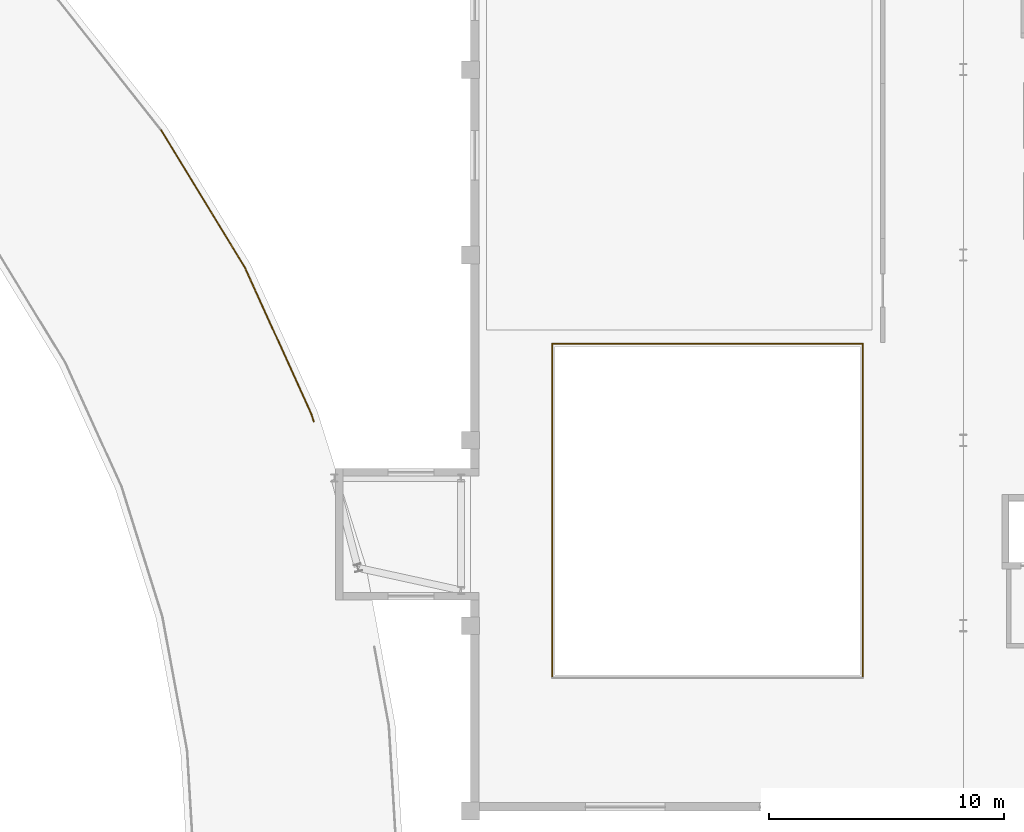
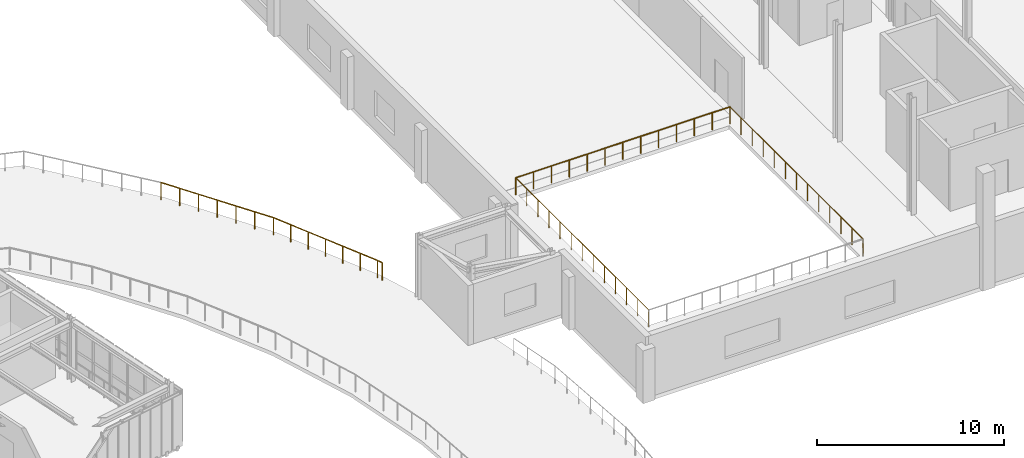
# One storey, part 58 of 59: 6 railings.
"""IFC4 building model written with IfcOpenShell, lengths in metres."""

import ifcopenshell
import ifcopenshell.guid

model = None  # the IFC model being written
_history = None  # IfcOwnerHistory: only IFC2X3 demands one
_inside = {}  # id of a spatial element -> (the spatial element, [elements in it])
_under = {}  # id of a project, library or spatial element -> (it, [spatial elements below it])
_declared = {}  # id of a project -> (the project, [libraries it declares])
_typed = {}  # id of a type object -> (the type object, [elements of that type])
_made_of = {}  # id of a material, layer set ... -> (it, [elements and type objects made of it])


def new_model(schema):
    """Start an empty IFC model of exactly this schema.

    Asked for "IFC4X3", IfcOpenShell would pick the latest addendum, in which some entities
    have other attributes; the version numbers below select the first issue.
    IFC2X3 requires an IfcOwnerHistory on every rooted entity: one is made here for all.
    """
    global model, _history
    if schema == "IFC4X3":
        model = ifcopenshell.file(schema_version=(4, 3, 0, 0))
    else:
        model = ifcopenshell.file(schema=schema)
    _inside.clear()
    _under.clear()
    _declared.clear()
    _typed.clear()
    _made_of.clear()
    _history = None
    if model.schema == "IFC2X3":
        org = make("IfcOrganization", Name="unknown")
        user = make(
            "IfcPersonAndOrganization",
            ThePerson=make("IfcPerson", FamilyName="unknown"),
            TheOrganization=org,
        )
        app = make(
            "IfcApplication",
            ApplicationDeveloper=org,
            Version="unknown",
            ApplicationFullName="unknown",
            ApplicationIdentifier="unknown",
        )
        _history = make(
            "IfcOwnerHistory",
            OwningUser=user,
            OwningApplication=app,
            ChangeAction="ADDED",
            CreationDate=0,
        )
    return model


def make(cls, **values):
    """One entity of the class cls with the attributes given. An attribute that is None is left unset."""
    return model.create_entity(
        cls, **{name: value for name, value in values.items() if value is not None}
    )


def rooted(cls, **values):
    """An entity with a GlobalId (a new one), such as an element, a storey or a relation."""
    return make(cls, GlobalId=ifcopenshell.guid.new(), OwnerHistory=_history, **values)


def si_unit(unit_type, name, prefix=None):
    """IfcSIUnit, for example si_unit("LENGTHUNIT", "METRE", prefix="MILLI")."""
    return make("IfcSIUnit", UnitType=unit_type, Prefix=prefix, Name=name)


def assignment(units):
    """IfcUnitAssignment: the units of a project."""
    return None if units is None else make("IfcUnitAssignment", Units=units)


def point(xyz):
    """IfcCartesianPoint."""
    return None if xyz is None else make("IfcCartesianPoint", Coordinates=xyz)


def direction(xyz):
    """IfcDirection."""
    return None if xyz is None else make("IfcDirection", DirectionRatios=xyz)


def frame(location, z_axis=None, x_axis=None):
    """IfcAxis2Placement3D, a coordinate frame: its origin and axes. An axis left out is left unset."""
    return make(
        "IfcAxis2Placement3D",
        Location=point(location),
        Axis=direction(z_axis),
        RefDirection=direction(x_axis),
    )


def frame_2d(location, x_axis=None):
    """IfcAxis2Placement2D, a coordinate frame in the plane: its origin and x axis."""
    return make(
        "IfcAxis2Placement2D", Location=point(location), RefDirection=direction(x_axis)
    )


def origin():
    """The frame at (0, 0, 0) with its axes left unset."""
    return frame((0.0, 0.0, 0.0))


def origin_2d():
    """The frame at (0, 0) in the plane with its x axis left unset."""
    return frame_2d((0.0, 0.0))


def place(relative_to, where):
    """IfcLocalPlacement: puts the frame where relative to a parent placement (None: the world)."""
    return make(
        "IfcLocalPlacement", PlacementRelTo=relative_to, RelativePlacement=where
    )


def context(
    kind, dimensions, precision=None, world=None, true_north=None, identifier=None
):
    """IfcGeometricRepresentationContext, for example the 3D "Model" context."""
    return make(
        "IfcGeometricRepresentationContext",
        ContextIdentifier=identifier,
        ContextType=kind,
        CoordinateSpaceDimension=dimensions,
        Precision=precision,
        WorldCoordinateSystem=world,
        TrueNorth=true_north,
    )


def subcontext(parent, identifier, kind, view, scale=None):
    """IfcGeometricRepresentationSubContext, for example "Body" below "Model"."""
    return make(
        "IfcGeometricRepresentationSubContext",
        ContextIdentifier=identifier,
        ContextType=kind,
        ParentContext=parent,
        TargetScale=scale,
        TargetView=view,
    )


def project(units=None, contexts=None):
    """IfcProject with its units and contexts."""
    return rooted(
        "IfcProject",
        Name="project",
        RepresentationContexts=contexts,
        UnitsInContext=assignment(units),
    )


def spatial(cls, under=None, at=None, **own):
    """A site, building, storey or space (cls), placed at a placement, below another one or the project."""
    s = rooted(cls, ObjectPlacement=at, **own)
    if under is not None:
        _under.setdefault(under.id(), (under, []))[1].append(s)
    return s


def profile(cls, at=None, kind="AREA", **sizes):
    """A parametric profile (cls). Its sizes go by their IFC names, for example OverallWidth=200.0."""
    return make(cls, ProfileType=kind, Position=at, **sizes)


def circle(**sizes):
    """IfcCircleProfileDef."""
    return profile("IfcCircleProfileDef", **sizes)


def extrude(swept, where, along, depth):
    """IfcExtrudedAreaSolid: the profile swept, set in the frame where, extruded along a direction by depth."""
    return make(
        "IfcExtrudedAreaSolid",
        SweptArea=swept,
        Position=where,
        ExtrudedDirection=direction(along),
        Depth=depth,
    )


def shape(context_of_items, identifier, shape_type, items):
    """IfcShapeRepresentation: the items that make up one representation, for example the "Body"."""
    return make(
        "IfcShapeRepresentation",
        ContextOfItems=context_of_items,
        RepresentationIdentifier=identifier,
        RepresentationType=shape_type,
        Items=items,
    )


def material(Name=None, Category=None):
    """IfcMaterial."""
    return make("IfcMaterial", Name=Name, Category=Category)


def made_of(thing, what):
    """Note that an element or type object is made of a material, layer set ...; save() writes the relation."""
    if what is not None:
        _made_of.setdefault(what.id(), (what, []))[1].append(thing)
    return thing


def type_object(cls, material=None, **own):
    """A type object (cls), such as IfcWallType, which elements share."""
    return made_of(rooted(cls, **own), material)


def element(
    cls,
    number,
    at=None,
    inside=None,
    cuts=None,
    type_object=None,
    material=None,
    context=None,
    identifier="Body",
    shape_type=None,
    held_by="IfcProductDefinitionShape",
    body=None,
    shapes=None,
    **own,
):
    """One element of the class cls, such as IfcWall. Its Tag is "e" and its number.

    at: its placement. inside: the storey or other place that contains it. cuts: it is an
    opening in that element (IfcRelVoidsElement). A single representation is given by context,
    identifier, shape_type and body (its items); several are given by shapes. held_by: the class
    of the entity that holds the representations. save() writes the other relations.
    """
    e = rooted(cls, Tag="e%d" % number, ObjectPlacement=at, **own)
    if body is not None:
        shapes = [shape(context, identifier, shape_type, body)]
    if shapes is not None:
        e.Representation = make(held_by, Representations=shapes)
    if inside is not None:
        _inside.setdefault(inside.id(), (inside, []))[1].append(e)
    if cuts is not None:
        rooted(
            "IfcRelVoidsElement", RelatingBuildingElement=cuts, RelatedOpeningElement=e
        )
    if type_object is not None:
        _typed.setdefault(type_object.id(), (type_object, []))[1].append(e)
    return made_of(e, material)


def aggregate(whole, parts):
    """IfcRelAggregates: a whole, such as a stair, and the parts it consists of."""
    return rooted("IfcRelAggregates", RelatingObject=whole, RelatedObjects=parts)


def save(model, path):
    """Write the relations noted so far, then the file.

    IfcRelAggregates (storeys below a building ...), IfcRelContainedInSpatialStructure (elements
    in a storey), IfcRelDefinesByType, IfcRelAssociatesMaterial and IfcRelDeclares: one each for
    every whole, place, type object, material and project.
    """
    for whole, parts in _under.values():
        aggregate(whole, parts)
    for where, things in _inside.values():
        rooted(
            "IfcRelContainedInSpatialStructure",
            RelatedElements=things,
            RelatingStructure=where,
        )
    for kind, things in _typed.values():
        rooted("IfcRelDefinesByType", RelatedObjects=things, RelatingType=kind)
    for what, things in _made_of.values():
        rooted("IfcRelAssociatesMaterial", RelatedObjects=things, RelatingMaterial=what)
    for by, libraries in _declared.values():
        rooted("IfcRelDeclares", RelatingContext=by, RelatedDefinitions=libraries)
    model.write(path)


model = new_model("IFC4")

# Units and contexts
model_context = context("Model", 3, precision=1e-05, world=origin(), true_north=direction((0.0, 1.0)))
body_context = subcontext(model_context, "Body", "Model", "MODEL_VIEW")
ifc_project = project(units=[si_unit("LENGTHUNIT", "METRE"), si_unit("AREAUNIT", "SQUARE_METRE"), si_unit("VOLUMEUNIT", "CUBIC_METRE"), si_unit("PLANEANGLEUNIT", "RADIAN"), si_unit("MASSUNIT", "GRAM", prefix="KILO")], contexts=[model_context])

# Site, building, storey
site_placement = place(None, origin())
site = spatial("IfcSite", under=ifc_project, at=site_placement, CompositionType="ELEMENT")
building_placement = place(site_placement, origin())
building = spatial("IfcBuilding", under=site, at=building_placement, Name="Varnklinge Art Gallery", CompositionType="ELEMENT")
storey_placement = place(building_placement, frame((0.0, 0.0, 9.52001953125)))
storey = spatial("IfcBuildingStorey", under=building, at=storey_placement, Name="L02", CompositionType="ELEMENT", Elevation=9.52001953125)

# Railings
ifc_material_1 = material(Name="Anodised Aluminium", Category="aluminium")
railing_type_1 = type_object("IfcRailingType", Name="BAL-01", PredefinedType="BALUSTRADE", material=ifc_material_1)
railing_1_placement = place(storey_placement, frame((131.1201171875, 63.8798828125, 0.0)))
element("IfcRailing", 1, at=railing_1_placement, inside=storey, type_object=railing_type_1, Name="L02 Atrium Void Balustrade 3.1", PredefinedType="BALUSTRADE", context=body_context, shape_type="SweptSolid", body=[
    extrude(circle(Radius=0.02392578125, at=origin_2d()), frame((0.0, 0.0, 1.11572265625), z_axis=(0.0, 1.0, 0.0), x_axis=(-1.0, 0.0, 0.0)), (0.0, 0.0, 1.0), 14.240234375),
    extrude(circle(Radius=0.02099609375, at=origin_2d()), origin(), (0.0, 0.0, 1.0), 1.091796875),
    extrude(circle(Radius=0.02099609375, at=origin_2d()), frame((0.0, 1.186767578125, 0.0)), (0.0, 0.0, 1.0), 1.091796875),
    extrude(circle(Radius=0.02099609375, at=origin_2d()), frame((0.0, 2.373291015625, 0.0)), (0.0, 0.0, 1.0), 1.091796875),
    extrude(circle(Radius=0.02099609375, at=origin_2d()), frame((0.0, 3.56005859375, 0.0)), (0.0, 0.0, 1.0), 1.091796875),
    extrude(circle(Radius=0.02099609375, at=origin_2d()), frame((0.0, 4.746826171875, 0.0)), (0.0, 0.0, 1.0), 1.091796875),
    extrude(circle(Radius=0.02099609375, at=origin_2d()), frame((0.0, 5.933349609375, 0.0)), (0.0, 0.0, 1.0), 1.091796875),
    extrude(circle(Radius=0.02099609375, at=origin_2d()), frame((0.0, 7.1201171875, 0.0)), (0.0, 0.0, 1.0), 1.091796875),
    extrude(circle(Radius=0.02099609375, at=origin_2d()), frame((0.0, 8.306884765625, 0.0)), (0.0, 0.0, 1.0), 1.091796875),
    extrude(circle(Radius=0.02099609375, at=origin_2d()), frame((0.0, 9.493408203125, 0.0)), (0.0, 0.0, 1.0), 1.091796875),
    extrude(circle(Radius=0.02099609375, at=origin_2d()), frame((0.0, 10.68017578125, 0.0)), (0.0, 0.0, 1.0), 1.091796875),
    extrude(circle(Radius=0.02099609375, at=origin_2d()), frame((0.0, 11.866943359375, 0.0)), (0.0, 0.0, 1.0), 1.091796875),
    extrude(circle(Radius=0.02099609375, at=origin_2d()), frame((0.0, 13.053466796875, 0.0)), (0.0, 0.0, 1.0), 1.091796875),
    extrude(circle(Radius=0.02099609375, at=origin_2d()), frame((0.0, 14.240234375, 0.0)), (0.0, 0.0, 1.0), 1.091796875),
])
railing_2_placement = place(storey_placement, frame((131.1201171875, 78.1201171875, 0.0)))
element("IfcRailing", 2, at=railing_2_placement, inside=storey, type_object=railing_type_1, Name="L02 Atrium Void Balustrade 3.2", PredefinedType="BALUSTRADE", context=body_context, shape_type="SweptSolid", body=[
    extrude(circle(Radius=0.02392578125, at=origin_2d()), frame((0.0, 0.0, 1.11572265625), z_axis=(-1.0, 0.0, 0.0), x_axis=(0.0, -1.0, 0.0)), (0.0, 0.0, 1.0), 13.240234375),
    extrude(circle(Radius=0.02099609375, at=origin_2d()), origin(), (0.0, 0.0, 1.0), 1.091796875),
    extrude(circle(Radius=0.02099609375, at=origin_2d()), frame((-1.103271484375, 0.0, 0.0)), (0.0, 0.0, 1.0), 1.091796875),
    extrude(circle(Radius=0.02099609375, at=origin_2d()), frame((-2.206787109375, 0.0, 0.0)), (0.0, 0.0, 1.0), 1.091796875),
    extrude(circle(Radius=0.02099609375, at=origin_2d()), frame((-3.31005859375, 0.0, 0.0)), (0.0, 0.0, 1.0), 1.091796875),
    extrude(circle(Radius=0.02099609375, at=origin_2d()), frame((-4.413330078125, 0.0, 0.0)), (0.0, 0.0, 1.0), 1.091796875),
    extrude(circle(Radius=0.02099609375, at=origin_2d()), frame((-5.516845703125, 0.0, 0.0)), (0.0, 0.0, 1.0), 1.091796875),
    extrude(circle(Radius=0.02099609375, at=origin_2d()), frame((-6.6201171875, 0.0, 0.0)), (0.0, 0.0, 1.0), 1.091796875),
    extrude(circle(Radius=0.02099609375, at=origin_2d()), frame((-7.723388671875, 0.0, 0.0)), (0.0, 0.0, 1.0), 1.091796875),
    extrude(circle(Radius=0.02099609375, at=origin_2d()), frame((-8.826904296875, 0.0, 0.0)), (0.0, 0.0, 1.0), 1.091796875),
    extrude(circle(Radius=0.02099609375, at=origin_2d()), frame((-9.93017578125, 0.0, 0.0)), (0.0, 0.0, 1.0), 1.091796875),
    extrude(circle(Radius=0.02099609375, at=origin_2d()), frame((-11.033447265625, 0.0, 0.0)), (0.0, 0.0, 1.0), 1.091796875),
    extrude(circle(Radius=0.02099609375, at=origin_2d()), frame((-12.136962890625, 0.0, 0.0)), (0.0, 0.0, 1.0), 1.091796875),
    extrude(circle(Radius=0.02099609375, at=origin_2d()), frame((-13.240234375, 0.0, 0.0)), (0.0, 0.0, 1.0), 1.091796875),
])
railing_3_placement = place(storey_placement, frame((117.8798828125, 78.1201171875, 0.0)))
element("IfcRailing", 3, at=railing_3_placement, inside=storey, type_object=railing_type_1, Name="L02 Atrium Void Balustrade 3.3", PredefinedType="BALUSTRADE", context=body_context, shape_type="SweptSolid", body=[
    extrude(circle(Radius=0.02392578125, at=origin_2d()), frame((0.0, 0.0, 1.11572265625), z_axis=(0.0, -1.0, 0.0), x_axis=(1.0, 0.0, 0.0)), (0.0, 0.0, 1.0), 14.240234375),
    extrude(circle(Radius=0.02099609375, at=origin_2d()), origin(), (0.0, 0.0, 1.0), 1.091796875),
    extrude(circle(Radius=0.02099609375, at=origin_2d()), frame((0.0, -1.186767578125, 0.0)), (0.0, 0.0, 1.0), 1.091796875),
    extrude(circle(Radius=0.02099609375, at=origin_2d()), frame((0.0, -2.373291015625, 0.0)), (0.0, 0.0, 1.0), 1.091796875),
    extrude(circle(Radius=0.02099609375, at=origin_2d()), frame((0.0, -3.56005859375, 0.0)), (0.0, 0.0, 1.0), 1.091796875),
    extrude(circle(Radius=0.02099609375, at=origin_2d()), frame((0.0, -4.746826171875, 0.0)), (0.0, 0.0, 1.0), 1.091796875),
    extrude(circle(Radius=0.02099609375, at=origin_2d()), frame((0.0, -5.933349609375, 0.0)), (0.0, 0.0, 1.0), 1.091796875),
    extrude(circle(Radius=0.02099609375, at=origin_2d()), frame((0.0, -7.1201171875, 0.0)), (0.0, 0.0, 1.0), 1.091796875),
    extrude(circle(Radius=0.02099609375, at=origin_2d()), frame((0.0, -8.306884765625, 0.0)), (0.0, 0.0, 1.0), 1.091796875),
    extrude(circle(Radius=0.02099609375, at=origin_2d()), frame((0.0, -9.493408203125, 0.0)), (0.0, 0.0, 1.0), 1.091796875),
    extrude(circle(Radius=0.02099609375, at=origin_2d()), frame((0.0, -10.68017578125, 0.0)), (0.0, 0.0, 1.0), 1.091796875),
    extrude(circle(Radius=0.02099609375, at=origin_2d()), frame((0.0, -11.866943359375, 0.0)), (0.0, 0.0, 1.0), 1.091796875),
    extrude(circle(Radius=0.02099609375, at=origin_2d()), frame((0.0, -13.053466796875, 0.0)), (0.0, 0.0, 1.0), 1.091796875),
    extrude(circle(Radius=0.02099609375, at=origin_2d()), frame((0.0, -14.240234375, 0.0)), (0.0, 0.0, 1.0), 1.091796875),
])
ifc_material_2 = material(Name="Steel S355", Category="steel")
railing_type_2 = type_object("IfcRailingType", Name="GR-EXT", PredefinedType="GUARDRAIL", material=ifc_material_2)
railing_4_placement = place(storey_placement, frame((107.716796875, 74.800048828125, 0.0)))
element("IfcRailing", 4, at=railing_4_placement, inside=storey, type_object=railing_type_2, Name="L02 Roof Sculpture Garden Guardrail O09.1", PredefinedType="GUARDRAIL", context=body_context, shape_type="SweptSolid", body=[
    extrude(circle(Radius=0.02392578125, at=origin_2d()), frame((0.0, 0.0, 1.1259765625), z_axis=(-0.300407250831, 0.953811031415, 0.0), x_axis=(-0.953811031415, -0.300407250831, 0.0)), (0.0, 0.0, 1.0), 0.3388671875),
    extrude(circle(Radius=0.02099609375, at=origin_2d()), origin(), (0.0, 0.0, 1.0), 1.101806640625),
    extrude(circle(Radius=0.02099609375, at=origin_2d()), frame((-0.101806640625, 0.3232421875, 0.0)), (0.0, 0.0, 1.0), 1.101806640625),
])
railing_5_placement = place(storey_placement, frame((107.614990234375, 75.123291015625, 0.0)))
element("IfcRailing", 5, at=railing_5_placement, inside=storey, type_object=railing_type_2, Name="L02 Roof Sculpture Garden Guardrail O10.1", PredefinedType="GUARDRAIL", context=body_context, shape_type="SweptSolid", body=[
    extrude(circle(Radius=0.02392578125, at=origin_2d()), frame((0.0, 0.0, 1.1259765625), z_axis=(-0.413395061382, 0.910551768558, 0.0), x_axis=(-0.910551768558, -0.413395061382, 0.0)), (0.0, 0.0, 1.0), 6.85546875),
    extrude(circle(Radius=0.02099609375, at=origin_2d()), origin(), (0.0, 0.0, 1.0), 1.101806640625),
    extrude(circle(Radius=0.02099609375, at=origin_2d()), frame((-0.472412109375, 1.040283203125, 0.0)), (0.0, 0.0, 1.0), 1.101806640625),
    extrude(circle(Radius=0.02099609375, at=origin_2d()), frame((-0.944580078125, 2.080810546875, 0.0)), (0.0, 0.0, 1.0), 1.101806640625),
    extrude(circle(Radius=0.02099609375, at=origin_2d()), frame((-1.4169921875, 3.12109375, 0.0)), (0.0, 0.0, 1.0), 1.101806640625),
    extrude(circle(Radius=0.02099609375, at=origin_2d()), frame((-1.889404296875, 4.161376953125, 0.0)), (0.0, 0.0, 1.0), 1.101806640625),
    extrude(circle(Radius=0.02099609375, at=origin_2d()), frame((-2.361572265625, 5.201904296875, 0.0)), (0.0, 0.0, 1.0), 1.101806640625),
    extrude(circle(Radius=0.02099609375, at=origin_2d()), frame((-2.833984375, 6.2421875, 0.0)), (0.0, 0.0, 1.0), 1.101806640625),
])
railing_6_placement = place(storey_placement, frame((104.781005859375, 81.365478515625, 0.0)))
element("IfcRailing", 6, at=railing_6_placement, inside=storey, type_object=railing_type_2, Name="L02 Roof Sculpture Garden Guardrail O11.1", PredefinedType="GUARDRAIL", context=body_context, shape_type="SweptSolid", body=[
    extrude(circle(Radius=0.02392578125, at=origin_2d()), frame((0.0, 0.0, 1.1259765625), z_axis=(-0.520918310776, 0.853606533186, 0.0), x_axis=(-0.853606533186, -0.520918310776, 0.0)), (0.0, 0.0, 1.0), 6.854736328125),
    extrude(circle(Radius=0.02099609375, at=origin_2d()), origin(), (0.0, 0.0, 1.0), 1.101806640625),
    extrude(circle(Radius=0.02099609375, at=origin_2d()), frame((-0.59521484375, 0.97509765625, 0.0)), (0.0, 0.0, 1.0), 1.101806640625),
    extrude(circle(Radius=0.02099609375, at=origin_2d()), frame((-1.190185546875, 1.950439453125, 0.0)), (0.0, 0.0, 1.0), 1.101806640625),
    extrude(circle(Radius=0.02099609375, at=origin_2d()), frame((-1.785400390625, 2.92578125, 0.0)), (0.0, 0.0, 1.0), 1.101806640625),
    extrude(circle(Radius=0.02099609375, at=origin_2d()), frame((-2.380615234375, 3.90087890625, 0.0)), (0.0, 0.0, 1.0), 1.101806640625),
    extrude(circle(Radius=0.02099609375, at=origin_2d()), frame((-2.9755859375, 4.8759765625, 0.0)), (0.0, 0.0, 1.0), 1.101806640625),
    extrude(circle(Radius=0.02099609375, at=origin_2d()), frame((-3.57080078125, 5.851318359375, 0.0)), (0.0, 0.0, 1.0), 1.101806640625),
])

save(model, "model.ifc")
